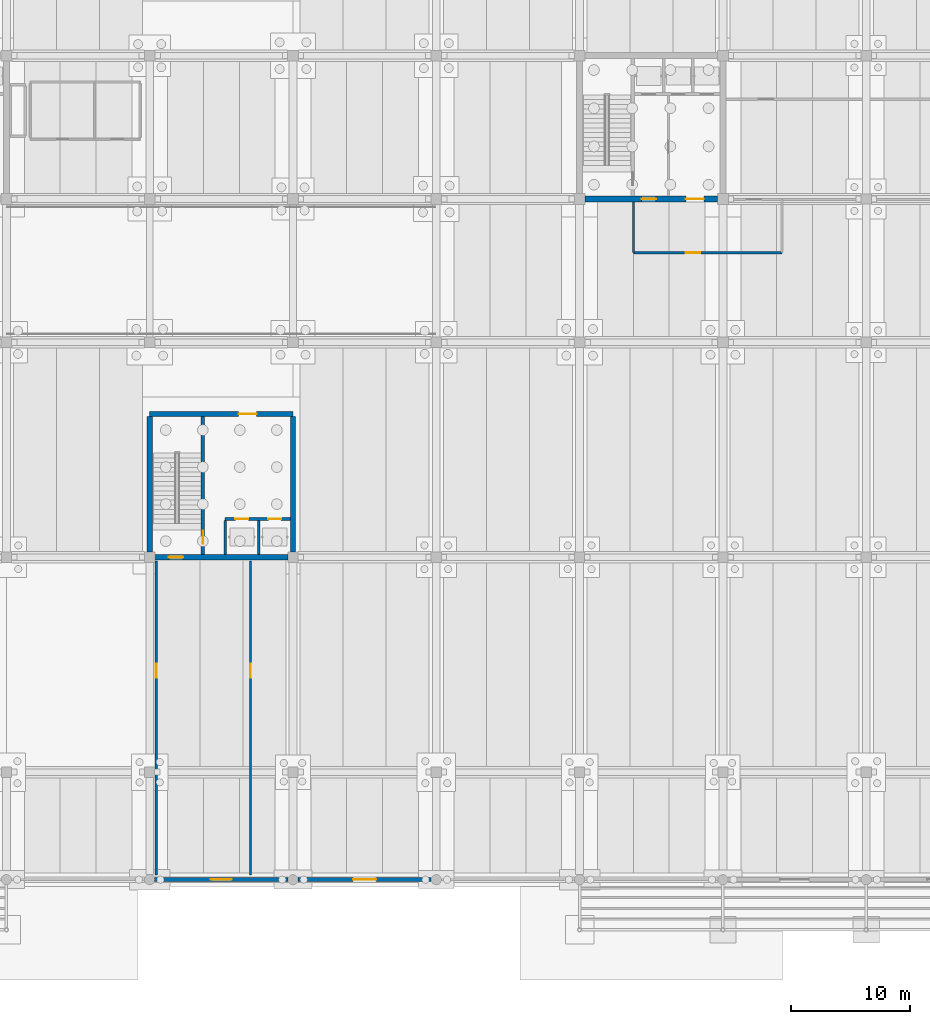
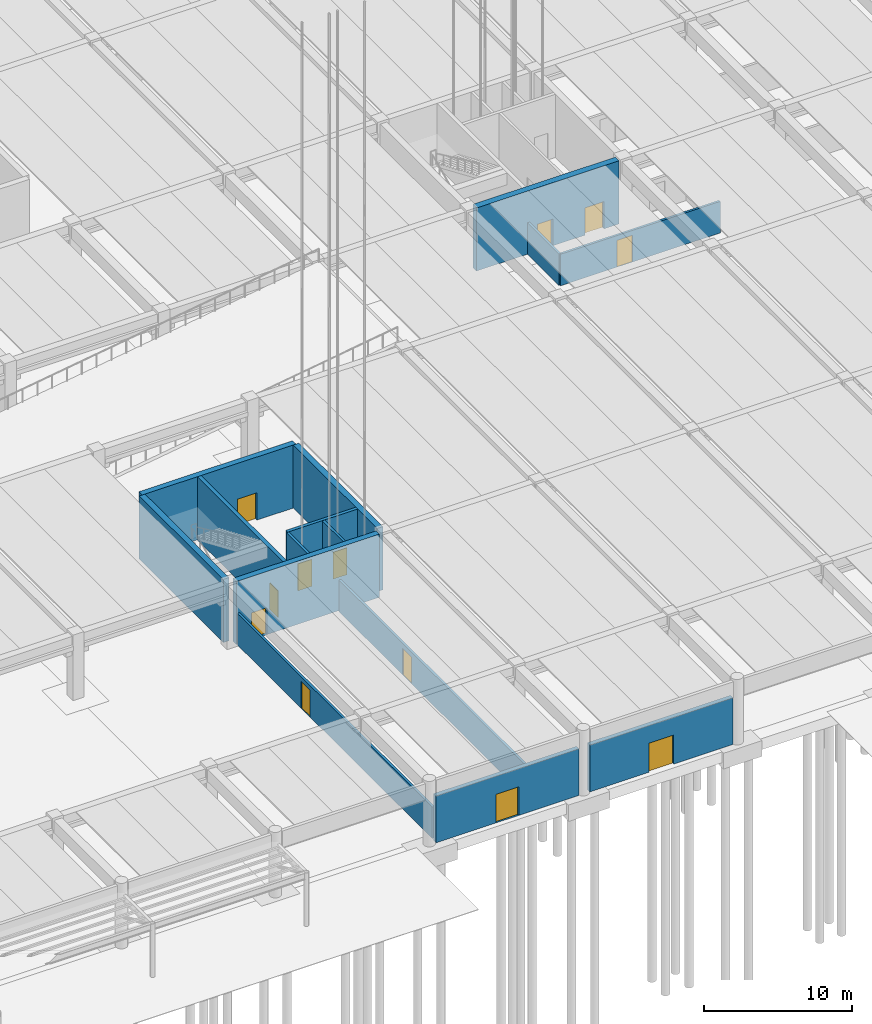
# One storey, part 26 of 59: 15 walls, 12 doors, 12 openings.
"""IFC4 building model written with IfcOpenShell, lengths in metres."""

from ifc_helpers import new_model, si_unit, direction, frame, frame_2d, origin, place, context, subcontext, project, spatial, rectangle, extrude, material, layer, layer_set, type_object, element, fill, save


model = new_model("IFC4")

# Units and contexts
model_context = context("Model", 3, precision=1e-05, world=origin(), true_north=direction((0.0, 1.0)))
body_context = subcontext(model_context, "Body", "Model", "MODEL_VIEW")
ifc_project = project(units=[si_unit("LENGTHUNIT", "METRE"), si_unit("AREAUNIT", "SQUARE_METRE"), si_unit("VOLUMEUNIT", "CUBIC_METRE"), si_unit("PLANEANGLEUNIT", "RADIAN"), si_unit("MASSUNIT", "GRAM", prefix="KILO")], contexts=[model_context])

# Site, building, storey
site_placement = place(None, origin())
site = spatial("IfcSite", under=ifc_project, at=site_placement, CompositionType="ELEMENT")
building_placement = place(site_placement, origin())
building = spatial("IfcBuilding", under=site, at=building_placement, Name="Girod Span Mobility Hub", CompositionType="ELEMENT")
storey_placement = place(building_placement, origin())
storey = spatial("IfcBuildingStorey", under=building, at=storey_placement, Name="L00", CompositionType="ELEMENT", Elevation=0.0)

# Wall, opening, door
ifc_material_1 = material(Name="Concrete C40/50", Category="concrete")
ifc_layer_1 = layer(ifc_material_1, 0.449951171875)
ifc_layer_set_1 = layer_set([ifc_layer_1], Name="Concrete C40/50")
wall_type_1 = type_object("IfcWallType", Name="W-CW-450", PredefinedType="SHEAR", material=ifc_layer_set_1)
wall_1_placement = place(storey_placement, frame((72.422119140625, 27.0, 0.0), z_axis=(0.0, 0.0, 1.0), x_axis=(1.0, 0.0, 0.0)))
wall_1 = element("IfcWall", 1, at=wall_1_placement, inside=storey, type_object=wall_type_1, Name="Core C3 Shear Wall S L00", PredefinedType="SHEAR", context=body_context, shape_type="SweptSolid", body=[
    extrude(rectangle(XDim=11.15576171875, YDim=0.449951171875, at=frame_2d((5.577880859375, 0.0))), origin(), (0.0, 0.0, 1.0), 5.202880859375),
])
opening_1_placement = place(wall_1_placement, frame((1.177978515625, 0.0, 0.0)))
opening_1 = element("IfcOpeningElement", 2, at=opening_1_placement, cuts=wall_1, Name="Opening D-ST3-DIS", PredefinedType="OPENING", context=body_context, shape_type="SweptSolid", body=[
    extrude(rectangle(XDim=1.199951171875, YDim=2.199951171875, at=frame_2d((0.60009765625, 1.10009765625))), frame((0.0, 0.239990234375, 0.0), z_axis=(0.0, -1.0, 0.0), x_axis=(1.0, 0.0, 0.0)), (0.0, 0.0, 1.0), 0.47998046875),
])
ifc_material_2 = material(Name="Fire-Rated Insulated Hollow Metal Steel", Category="steel")
door_type_1 = type_object("IfcDoorType", Name="DT-FD-05", OperationType="NOTDEFINED", PredefinedType="DOOR", material=ifc_material_2)
door_1_placement = place(opening_1_placement, frame((1.199951171875, 0.0, 0.0), z_axis=(0.0, 0.0, 1.0), x_axis=(-1.0, 0.0, 0.0)))
door_1 = element("IfcDoor", 3, at=door_1_placement, inside=storey, type_object=door_type_1, Name="Stair ST-3 Ground Concourse Discharge Door", OperationType="SINGLE_SWING_RIGHT", OverallHeight=2.199951171875, OverallWidth=1.199951171875, PredefinedType="DOOR", context=body_context, shape_type="SweptSolid", body=[
    extrude(rectangle(XDim=1.199951171875, YDim=2.199951171875, at=frame_2d((0.60009765625, 1.10009765625))), frame((0.0, 0.02490234375, 0.0), z_axis=(0.0, -1.0, 0.0), x_axis=(1.0, 0.0, 0.0)), (0.0, 0.0, 1.0), 0.050048828125),
])
fill(opening_1, door_1)

wall_2_placement = place(storey_placement, frame((72.0, 39.0, 0.0), z_axis=(0.0, 0.0, 1.0), x_axis=(1.0, 0.0, 0.0)))
wall_2 = element("IfcWall", 4, at=wall_2_placement, inside=storey, type_object=wall_type_1, Name="Core C3 Shear Wall N L00", PredefinedType="SHEAR", context=body_context, shape_type="SweptSolid", body=[
    extrude(rectangle(XDim=12.0, YDim=0.449951171875, at=frame_2d((6.0, 0.0))), origin(), (0.0, 0.0, 1.0), 5.202880859375),
])
opening_2_placement = place(wall_2_placement, frame((7.449951171875, 0.0, 0.0)))
opening_2 = element("IfcOpeningElement", 5, at=opening_2_placement, cuts=wall_2, Name="Opening D-LB-C3-L00", PredefinedType="OPENING", context=body_context, shape_type="SweptSolid", body=[
    extrude(rectangle(XDim=1.5, YDim=2.25, at=frame_2d((0.75, 1.125))), frame((0.0, 0.239990234375, 0.0), z_axis=(0.0, -1.0, 0.0), x_axis=(1.0, 0.0, 0.0)), (0.0, 0.0, 1.0), 0.47998046875),
])
ifc_material_3 = material(Name="Fire-Rated Insulated Hollow Metal Steel", Category="steel")
door_type_2 = type_object("IfcDoorType", Name="DT-FD-03", OperationType="DOUBLE_DOOR_SINGLE_SWING", PredefinedType="DOOR", material=ifc_material_3)
door_2_placement = place(opening_2_placement, origin())
door_2 = element("IfcDoor", 6, at=door_2_placement, inside=storey, type_object=door_type_2, Name="Core C3 Lobby Door L00", OperationType="DOUBLE_DOOR_SINGLE_SWING", OverallHeight=2.25, OverallWidth=1.5, PredefinedType="DOOR", context=body_context, shape_type="SweptSolid", body=[
    extrude(rectangle(XDim=1.5, YDim=2.25, at=frame_2d((0.75, 1.125))), frame((0.0, 0.02490234375, 0.0), z_axis=(0.0, -1.0, 0.0), x_axis=(1.0, 0.0, 0.0)), (0.0, 0.0, 1.0), 0.050048828125),
])
fill(opening_2, door_2)

# Walls
for number, where, z_axis, x_axis, name in (
    (7, (72.0, 27.422119140625, 0.0), (0.0, 0.0, 1.0), (0.0, 1.0, 0.0), "Core C3 Shear Wall W L00"),
    (8, (84.0, 27.422119140625, 0.0), (0.0, 0.0, 1.0), (0.0, 1.0, 0.0), "Core C3 Shear Wall E L00"),
):
    element("IfcWall", number, at=place(storey_placement, frame(where, z_axis=z_axis, x_axis=x_axis)), inside=storey, type_object=wall_type_1, Name=name, PredefinedType="SHEAR", context=body_context, shape_type="SweptSolid", body=[
        extrude(rectangle(XDim=11.35595703125, YDim=0.449951171875, at=frame_2d((5.677978515625, 0.0))), origin(), (0.0, 0.0, 1.0), 5.202880859375),
    ])

# Wall, openings, doors
ifc_material_4 = material(Name="Concrete C40/50", Category="concrete")
ifc_layer_2 = layer(ifc_material_4, 0.5)
ifc_layer_set_2 = layer_set([ifc_layer_2], Name="Concrete C40/50")
wall_type_2 = type_object("IfcWallType", Name="W-CW-500", PredefinedType="SHEAR", material=ifc_layer_set_2)
wall_3_placement = place(storey_placement, frame((108.447021484375, 57.0, 0.0), z_axis=(0.0, 0.0, 1.0), x_axis=(1.0, 0.0, 0.0)))
wall_3 = element("IfcWall", 9, at=wall_3_placement, inside=storey, type_object=wall_type_2, Name="Core C2 Shear Wall S L00", PredefinedType="SHEAR", context=body_context, shape_type="SweptSolid", body=[
    extrude(rectangle(XDim=11.10595703125, YDim=0.5, at=frame_2d((5.552978515625, 0.0))), origin(), (0.0, 0.0, 1.0), 5.202880859375),
])
opening_3_placement = place(wall_3_placement, frame((4.7529296875, 0.0, 0.0)))
opening_3 = element("IfcOpeningElement", 10, at=opening_3_placement, cuts=wall_3, Name="Opening D-FL-C2-L00", PredefinedType="OPENING", context=body_context, shape_type="SweptSolid", body=[
    extrude(rectangle(XDim=1.199951171875, YDim=2.199951171875, at=frame_2d((0.60009765625, 1.10009765625))), frame((0.0, 0.264892578125, 0.0), z_axis=(0.0, -1.0, 0.0), x_axis=(1.0, 0.0, 0.0)), (0.0, 0.0, 1.0), 0.530029296875),
])
opening_4_placement = place(wall_3_placement, frame((8.452880859375, 0.0, 0.0)))
opening_4 = element("IfcOpeningElement", 11, at=opening_4_placement, cuts=wall_3, Name="Opening D-LB-C2-L00", PredefinedType="OPENING", context=body_context, shape_type="SweptSolid", body=[
    extrude(rectangle(XDim=1.5, YDim=2.25, at=frame_2d((0.75, 1.125))), frame((0.0, 0.264892578125, 0.0), z_axis=(0.0, -1.0, 0.0), x_axis=(1.0, 0.0, 0.0)), (0.0, 0.0, 1.0), 0.530029296875),
])
door_3_placement = place(opening_4_placement, origin())
door_3 = element("IfcDoor", 12, at=door_3_placement, inside=storey, type_object=door_type_2, Name="Lift Lobby Entry Door C2 L00", OperationType="DOUBLE_DOOR_SINGLE_SWING", OverallHeight=2.25, OverallWidth=1.5, PredefinedType="DOOR", context=body_context, shape_type="SweptSolid", body=[
    extrude(rectangle(XDim=1.5, YDim=2.25, at=frame_2d((0.75, 1.125))), frame((0.0, 0.02490234375, 0.0), z_axis=(0.0, -1.0, 0.0), x_axis=(1.0, 0.0, 0.0)), (0.0, 0.0, 1.0), 0.050048828125),
])
fill(opening_4, door_3)
door_4_placement = place(opening_3_placement, frame((1.199951171875, 0.0, 0.0), z_axis=(0.0, 0.0, 1.0), x_axis=(-1.0, 0.0, 0.0)))
door_4 = element("IfcDoor", 13, at=door_4_placement, inside=storey, type_object=door_type_1, Name="Firefighting Lobby Entry Door C2 L00", OperationType="SINGLE_SWING_RIGHT", OverallHeight=2.199951171875, OverallWidth=1.199951171875, PredefinedType="DOOR", context=body_context, shape_type="SweptSolid", body=[
    extrude(rectangle(XDim=1.199951171875, YDim=2.199951171875, at=frame_2d((0.60009765625, 1.10009765625))), frame((0.0, 0.02490234375, 0.0), z_axis=(0.0, -1.0, 0.0), x_axis=(1.0, 0.0, 0.0)), (0.0, 0.0, 1.0), 0.050048828125),
])
fill(opening_3, door_4)

# Wall, opening, door
ifc_material_5 = material(Name="Precast Architectural Concrete C40/50", Category="concrete")
ifc_layer_3 = layer(ifc_material_5, 0.340087890625)
ifc_layer_set_3 = layer_set([ifc_layer_3], Name="Precast Architectural Concrete C40/50")
wall_type_3 = type_object("IfcWallType", Name="W-EXT-340", PredefinedType="SOLIDWALL", material=ifc_layer_set_3)
wall_4_placement = place(storey_placement, frame((72.423095703125, 0.0, 0.0), z_axis=(0.0, 0.0, 1.0), x_axis=(1.0, 0.0, 0.0)))
wall_4 = element("IfcWall", 14, at=wall_4_placement, inside=storey, type_object=wall_type_3, Name="Exterior Insulated Precast Wall S-7 L00", PredefinedType="SOLIDWALL", context=body_context, shape_type="SweptSolid", body=[
    extrude(rectangle(XDim=11.15380859375, YDim=0.340087890625, at=frame_2d((5.576904296875, 0.0))), origin(), (0.0, 0.0, 1.0), 3.85009765625),
])
opening_5_placement = place(wall_4_placement, frame((4.697021484375, 0.0, 0.0)))
opening_5 = element("IfcOpeningElement", 15, at=opening_5_placement, cuts=wall_4, Name="Opening D-L00-S06", PredefinedType="OPENING", context=body_context, shape_type="SweptSolid", body=[
    extrude(rectangle(XDim=1.760009765625, YDim=2.360107421875, at=frame_2d((0.8798828125, 1.18017578125))), frame((0.0, 0.18505859375, 0.0), z_axis=(0.0, -1.0, 0.0), x_axis=(1.0, 0.0, 0.0)), (0.0, 0.0, 1.0), 0.3701171875),
])
ifc_material_6 = material(Name="Thermally Broken Anodised Aluminium", Category="aluminium")
door_type_3 = type_object("IfcDoorType", Name="DR-EXT-01", OperationType="DOUBLE_DOOR_SINGLE_SWING", PredefinedType="DOOR", material=ifc_material_6)
door_5_placement = place(opening_5_placement, frame((1.760009765625, 0.0, 0.0), z_axis=(0.0, 0.0, 1.0), x_axis=(-1.0, 0.0, 0.0)))
door_5 = element("IfcDoor", 16, at=door_5_placement, inside=storey, type_object=door_type_3, Name="South Boulevard Concourse Entrance 6", OperationType="DOUBLE_DOOR_SINGLE_SWING", OverallHeight=2.360107421875, OverallWidth=1.760009765625, PredefinedType="DOOR", context=body_context, shape_type="SweptSolid", body=[
    extrude(rectangle(XDim=1.760009765625, YDim=2.360107421875, at=frame_2d((0.8798828125, 1.18017578125))), frame((0.0, 0.02490234375, 0.0), z_axis=(0.0, -1.0, 0.0), x_axis=(1.0, 0.0, 0.0)), (0.0, 0.0, 1.0), 0.050048828125),
])
fill(opening_5, door_5)

wall_5_placement = place(storey_placement, frame((84.423095703125, 0.0, 0.0), z_axis=(0.0, 0.0, 1.0), x_axis=(1.0, 0.0, 0.0)))
wall_5 = element("IfcWall", 17, at=wall_5_placement, inside=storey, type_object=wall_type_3, Name="Exterior Insulated Precast Wall S-8 L00", PredefinedType="SOLIDWALL", context=body_context, shape_type="SweptSolid", body=[
    extrude(rectangle(XDim=11.15380859375, YDim=0.340087890625, at=frame_2d((5.576904296875, 0.0))), origin(), (0.0, 0.0, 1.0), 3.85009765625),
])
opening_6_placement = place(wall_5_placement, frame((4.616943359375, 0.0, 0.0)))
opening_6 = element("IfcOpeningElement", 18, at=opening_6_placement, cuts=wall_5, Name="Opening D-L00-S07", PredefinedType="OPENING", context=body_context, shape_type="SweptSolid", body=[
    extrude(rectangle(XDim=1.919921875, YDim=2.39990234375, at=frame_2d((0.9599609375, 1.199951171875))), frame((0.0, 0.18505859375, 0.0), z_axis=(0.0, -1.0, 0.0), x_axis=(1.0, 0.0, 0.0)), (0.0, 0.0, 1.0), 0.3701171875),
])
ifc_material_7 = material(Name="Thermally Broken Anodised Aluminium", Category="aluminium")
door_type_4 = type_object("IfcDoorType", Name="DR-EXT-02", OperationType="DOUBLE_DOOR_SINGLE_SWING", PredefinedType="DOOR", material=ifc_material_7)
door_6_placement = place(opening_6_placement, frame((1.919921875, 0.0, 0.0), z_axis=(0.0, 0.0, 1.0), x_axis=(-1.0, 0.0, 0.0)))
door_6 = element("IfcDoor", 19, at=door_6_placement, inside=storey, type_object=door_type_4, Name="South Boulevard Concourse Entrance 7", OperationType="DOUBLE_DOOR_SINGLE_SWING", OverallHeight=2.39990234375, OverallWidth=1.919921875, PredefinedType="DOOR", context=body_context, shape_type="SweptSolid", body=[
    extrude(rectangle(XDim=1.919921875, YDim=2.39990234375, at=frame_2d((0.9599609375, 1.199951171875))), frame((0.0, 0.02490234375, 0.0), z_axis=(0.0, -1.0, 0.0), x_axis=(1.0, 0.0, 0.0)), (0.0, 0.0, 1.0), 0.050048828125),
])
fill(opening_6, door_6)

# Wall
ifc_material_8 = material(Name="Reinforced Concrete Masonry Block", Category="masonry")
ifc_layer_4 = layer(ifc_material_8, 0.179931640625)
ifc_layer_set_4 = layer_set([ifc_layer_4], Name="Reinforced Concrete Masonry Block")
wall_type_4 = type_object("IfcWallType", Name="W-FP-180", PredefinedType="SOLIDWALL", material=ifc_layer_set_4)
wall_6_placement = place(storey_placement, frame((112.5, 52.5, 0.0), z_axis=(0.0, 0.0, 1.0), x_axis=(0.0, 1.0, 0.0)))
element("IfcWall", 20, at=wall_6_placement, inside=storey, type_object=wall_type_4, Name="Exit Vestibule ST-2 West Wall", PredefinedType="SOLIDWALL", context=body_context, shape_type="SweptSolid", body=[
    extrude(rectangle(XDim=4.25, YDim=0.179931640625, at=frame_2d((2.125, 0.0))), origin(), (0.0, 0.0, 1.0), 2.60009765625),
])

# Wall, opening, door
wall_7_placement = place(storey_placement, frame((112.5, 52.5, 0.0), z_axis=(0.0, 0.0, 1.0), x_axis=(1.0, 0.0, 0.0)))
wall_7 = element("IfcWall", 21, at=wall_7_placement, inside=storey, type_object=wall_type_4, Name="Exit Vestibule ST-2 South Wall", PredefinedType="SOLIDWALL", context=body_context, shape_type="SweptSolid", body=[
    extrude(rectangle(XDim=12.449951171875, YDim=0.179931640625, at=frame_2d((6.22509765625, 0.0))), origin(), (0.0, 0.0, 1.0), 2.60009765625),
])
opening_7_placement = place(wall_7_placement, frame((4.39990234375, 0.0, 0.0)))
opening_7 = element("IfcOpeningElement", 22, at=opening_7_placement, cuts=wall_7, Name="Opening D-EV2-S", PredefinedType="OPENING", context=body_context, shape_type="SweptSolid", body=[
    extrude(rectangle(XDim=1.199951171875, YDim=2.199951171875, at=frame_2d((0.60009765625, 1.10009765625))), frame((0.0, 0.10498046875, 0.0), z_axis=(0.0, -1.0, 0.0), x_axis=(1.0, 0.0, 0.0)), (0.0, 0.0, 1.0), 0.2099609375),
])
door_7_placement = place(opening_7_placement, origin())
door_7 = element("IfcDoor", 23, at=door_7_placement, inside=storey, type_object=door_type_1, Name="Exit Vestibule ST-2 Concourse Access Door", OperationType="SINGLE_SWING_LEFT", OverallHeight=2.199951171875, OverallWidth=1.199951171875, PredefinedType="DOOR", context=body_context, shape_type="SweptSolid", body=[
    extrude(rectangle(XDim=1.199951171875, YDim=2.199951171875, at=frame_2d((0.60009765625, 1.10009765625))), frame((0.0, 0.02490234375, 0.0), z_axis=(0.0, -1.0, 0.0), x_axis=(1.0, 0.0, 0.0)), (0.0, 0.0, 1.0), 0.050048828125),
])
fill(opening_7, door_7)

wall_8_placement = place(storey_placement, frame((72.550048828125, 0.39990234375, 0.0), z_axis=(0.0, 0.0, 1.0), x_axis=(0.0, 1.0, 0.0)))
wall_8 = element("IfcWall", 24, at=wall_8_placement, inside=storey, type_object=wall_type_4, Name="Exit Passage ST-3 West Wall", PredefinedType="SOLIDWALL", context=body_context, shape_type="SweptSolid", body=[
    extrude(rectangle(XDim=26.300048828125, YDim=0.179931640625, at=frame_2d((13.14990234375, 0.0))), origin(), (0.0, 0.0, 1.0), 2.60009765625),
])
opening_8_placement = place(wall_8_placement, frame((16.5, 0.0, 0.0)))
opening_8 = element("IfcOpeningElement", 25, at=opening_8_placement, cuts=wall_8, Name="Opening D-EP3-W", PredefinedType="OPENING", context=body_context, shape_type="SweptSolid", body=[
    extrude(rectangle(XDim=1.199951171875, YDim=2.199951171875, at=frame_2d((0.60009765625, 1.10009765625))), frame((0.0, 0.10498046875, 0.0), z_axis=(0.0, -1.0, 0.0), x_axis=(1.0, 0.0, 0.0)), (0.0, 0.0, 1.0), 0.2099609375),
])
door_8_placement = place(opening_8_placement, frame((1.199951171875, 0.0, 0.0), z_axis=(0.0, 0.0, 1.0), x_axis=(-1.0, 0.0, 0.0)))
door_8 = element("IfcDoor", 26, at=door_8_placement, inside=storey, type_object=door_type_1, Name="Exit Passage ST-3 West Access Door", OperationType="SINGLE_SWING_RIGHT", OverallHeight=2.199951171875, OverallWidth=1.199951171875, PredefinedType="DOOR", context=body_context, shape_type="SweptSolid", body=[
    extrude(rectangle(XDim=1.199951171875, YDim=2.199951171875, at=frame_2d((0.60009765625, 1.10009765625))), frame((0.0, 0.02490234375, 0.0), z_axis=(0.0, -1.0, 0.0), x_axis=(1.0, 0.0, 0.0)), (0.0, 0.0, 1.0), 0.050048828125),
])
fill(opening_8, door_8)

wall_9_placement = place(storey_placement, frame((80.449951171875, 0.39990234375, 0.0), z_axis=(0.0, 0.0, 1.0), x_axis=(0.0, 1.0, 0.0)))
wall_9 = element("IfcWall", 27, at=wall_9_placement, inside=storey, type_object=wall_type_4, Name="Exit Passage ST-3 East Wall", PredefinedType="SOLIDWALL", context=body_context, shape_type="SweptSolid", body=[
    extrude(rectangle(XDim=26.300048828125, YDim=0.179931640625, at=frame_2d((13.14990234375, 0.0))), origin(), (0.0, 0.0, 1.0), 2.60009765625),
])
opening_9_placement = place(wall_9_placement, frame((16.5, 0.0, 0.0)))
opening_9 = element("IfcOpeningElement", 28, at=opening_9_placement, cuts=wall_9, Name="Opening D-EP3-E", PredefinedType="OPENING", context=body_context, shape_type="SweptSolid", body=[
    extrude(rectangle(XDim=1.199951171875, YDim=2.199951171875, at=frame_2d((0.60009765625, 1.10009765625))), frame((0.0, 0.10498046875, 0.0), z_axis=(0.0, -1.0, 0.0), x_axis=(1.0, 0.0, 0.0)), (0.0, 0.0, 1.0), 0.2099609375),
])
door_9_placement = place(opening_9_placement, frame((1.199951171875, 0.0, 0.0), z_axis=(0.0, 0.0, 1.0), x_axis=(-1.0, 0.0, 0.0)))
door_9 = element("IfcDoor", 29, at=door_9_placement, inside=storey, type_object=door_type_1, Name="Exit Passage ST-3 East Access Door", OperationType="SINGLE_SWING_LEFT", OverallHeight=2.199951171875, OverallWidth=1.199951171875, PredefinedType="DOOR", context=body_context, shape_type="SweptSolid", body=[
    extrude(rectangle(XDim=1.199951171875, YDim=2.199951171875, at=frame_2d((0.60009765625, 1.10009765625))), frame((0.0, 0.02490234375, 0.0), z_axis=(0.0, -1.0, 0.0), x_axis=(1.0, 0.0, 0.0)), (0.0, 0.0, 1.0), 0.050048828125),
])
fill(opening_9, door_9)

# Walls
ifc_material_9 = material(Name="Concrete C40/50", Category="concrete")
ifc_layer_5 = layer(ifc_material_9, 0.199951171875)
ifc_layer_set_5 = layer_set([ifc_layer_5], Name="Concrete C40/50")
wall_type_5 = type_object("IfcWallType", Name="W-SH-200", PredefinedType="SOLIDWALL", material=ifc_layer_set_5)
for number, where, z_axis, x_axis, name in (
    (30, (78.320068359375, 27.22509765625, 0.0), (0.0, 0.0, 1.0), (0.0, 1.0, 0.0), "Core C3 Shaft Divider 1 L00"),
    (31, (81.1201171875, 27.22509765625, 0.0), (0.0, 0.0, 1.0), (0.0, 1.0, 0.0), "Core C3 Shaft Divider 2 L00"),
):
    element("IfcWall", number, at=place(storey_placement, frame(where, z_axis=z_axis, x_axis=x_axis)), inside=storey, type_object=wall_type_5, Name=name, PredefinedType="SOLIDWALL", context=body_context, shape_type="SweptSolid", body=[
        extrude(rectangle(XDim=2.85498046875, YDim=0.199951171875, at=frame_2d((1.427490234375, 0.0))), origin(), (0.0, 0.0, 1.0), 5.193115234375),
    ])

# Wall, openings, doors
ifc_material_10 = material(Name="Concrete C40/50", Category="concrete")
ifc_layer_6 = layer(ifc_material_10, 0.25)
ifc_layer_set_6 = layer_set([ifc_layer_6], Name="Concrete C40/50")
wall_type_6 = type_object("IfcWallType", Name="W-SH-250", PredefinedType="SOLIDWALL", material=ifc_layer_set_6)
wall_10_placement = place(storey_placement, frame((78.320068359375, 30.199951171875, 0.0), z_axis=(0.0, 0.0, 1.0), x_axis=(1.0, 0.0, 0.0)))
wall_10 = element("IfcWall", 32, at=wall_10_placement, inside=storey, type_object=wall_type_6, Name="Core C3 Hoistway Front Wall L00", PredefinedType="SOLIDWALL", context=body_context, shape_type="SweptSolid", body=[
    extrude(rectangle(XDim=5.4580078125, YDim=0.25, at=frame_2d((2.72900390625, 0.0))), origin(), (0.0, 0.0, 1.0), 5.202880859375),
])
opening_10_placement = place(wall_10_placement, frame((0.860107421875, 0.0, 0.0)))
opening_10 = element("IfcOpeningElement", 33, at=opening_10_placement, cuts=wall_10, Name="Opening LD-LP-5-L00", PredefinedType="OPENING", context=body_context, shape_type="SweptSolid", body=[
    extrude(rectangle(XDim=1.080078125, YDim=2.219970703125, at=frame_2d((0.5400390625, 1.10986328125))), frame((0.0, 0.139892578125, 0.0), z_axis=(0.0, -1.0, 0.0), x_axis=(1.0, 0.0, 0.0)), (0.0, 0.0, 1.0), 0.280029296875),
])
opening_11_placement = place(wall_10_placement, frame((3.610107421875, 0.0, 0.0)))
opening_11 = element("IfcOpeningElement", 34, at=opening_11_placement, cuts=wall_10, Name="Opening LD-LP-6-L00", PredefinedType="OPENING", context=body_context, shape_type="SweptSolid", body=[
    extrude(rectangle(XDim=1.080078125, YDim=2.219970703125, at=frame_2d((0.5400390625, 1.10986328125))), frame((0.0, 0.139892578125, 0.0), z_axis=(0.0, -1.0, 0.0), x_axis=(1.0, 0.0, 0.0)), (0.0, 0.0, 1.0), 0.280029296875),
])
ifc_material_11 = material(Name="Brushed Stainless Steel Grade 304", Category="steel")
door_type_5 = type_object("IfcDoorType", Name="LD-LP-108", OperationType="SLIDING_TO_LEFT", PredefinedType="USERDEFINED", material=ifc_material_11)
door_10_placement = place(opening_10_placement, origin())
door_10 = element("IfcDoor", 35, at=door_10_placement, inside=storey, type_object=door_type_5, Name="Lift LP-5 Sliding Landing Door L00", ObjectType="LANDING DOOR", OperationType="SLIDING_TO_LEFT", OverallHeight=2.219970703125, OverallWidth=1.080078125, PredefinedType="USERDEFINED", context=body_context, shape_type="SweptSolid", body=[
    extrude(rectangle(XDim=1.080078125, YDim=2.219970703125, at=frame_2d((0.5400390625, 1.10986328125))), frame((0.0, 0.02490234375, 0.0), z_axis=(0.0, -1.0, 0.0), x_axis=(1.0, 0.0, 0.0)), (0.0, 0.0, 1.0), 0.050048828125),
])
fill(opening_10, door_10)
door_11_placement = place(opening_11_placement, origin())
door_11 = element("IfcDoor", 36, at=door_11_placement, inside=storey, type_object=door_type_5, Name="Lift LP-6 Sliding Landing Door L00", ObjectType="LANDING DOOR", OperationType="SLIDING_TO_LEFT", OverallHeight=2.219970703125, OverallWidth=1.080078125, PredefinedType="USERDEFINED", context=body_context, shape_type="SweptSolid", body=[
    extrude(rectangle(XDim=1.080078125, YDim=2.219970703125, at=frame_2d((0.5400390625, 1.10986328125))), frame((0.0, 0.02490234375, 0.0), z_axis=(0.0, -1.0, 0.0), x_axis=(1.0, 0.0, 0.0)), (0.0, 0.0, 1.0), 0.050048828125),
])
fill(opening_11, door_11)

# Wall, opening, door
ifc_material_12 = material(Name="Concrete C40/50", Category="concrete")
ifc_layer_7 = layer(ifc_material_12, 0.300048828125)
ifc_layer_set_7 = layer_set([ifc_layer_7], Name="Concrete C40/50")
wall_type_7 = type_object("IfcWallType", Name="W-SH-300", PredefinedType="SHEAR", material=ifc_layer_set_7)
wall_11_placement = place(storey_placement, frame((76.449951171875, 27.221923828125, 0.0), z_axis=(0.0, 0.0, 1.0), x_axis=(0.0, 1.0, 0.0)))
wall_11 = element("IfcWall", 37, at=wall_11_placement, inside=storey, type_object=wall_type_7, Name="Core C3 Stairwell Spine Wall L00", PredefinedType="SHEAR", context=body_context, shape_type="SweptSolid", body=[
    extrude(rectangle(XDim=11.55615234375, YDim=0.300048828125, at=frame_2d((5.778076171875, 0.0))), origin(), (0.0, 0.0, 1.0), 5.202880859375),
])
opening_12_placement = place(wall_11_placement, frame((0.89990234375, 0.0, 0.0)))
opening_12 = element("IfcOpeningElement", 38, at=opening_12_placement, cuts=wall_11, Name="Opening D-ST-3-L00", PredefinedType="OPENING", context=body_context, shape_type="SweptSolid", body=[
    extrude(rectangle(XDim=1.10009765625, YDim=2.199951171875, at=frame_2d((0.550048828125, 1.10009765625))), frame((0.0, 0.1650390625, 0.0), z_axis=(0.0, -1.0, 0.0), x_axis=(1.0, 0.0, 0.0)), (0.0, 0.0, 1.0), 0.330078125),
])
ifc_material_13 = material(Name="Fire-Rated Insulated Hollow Metal Steel", Category="steel")
door_type_6 = type_object("IfcDoorType", Name="DT-FD-01", OperationType="NOTDEFINED", PredefinedType="DOOR", material=ifc_material_13)
door_12_placement = place(opening_12_placement, origin())
door_12 = element("IfcDoor", 39, at=door_12_placement, inside=storey, type_object=door_type_6, Name="Stair ST-3 Fire Door L00", OperationType="SINGLE_SWING_LEFT", OverallHeight=2.199951171875, OverallWidth=1.10009765625, PredefinedType="DOOR", context=body_context, shape_type="SweptSolid", body=[
    extrude(rectangle(XDim=1.10009765625, YDim=2.199951171875, at=frame_2d((0.550048828125, 1.10009765625))), frame((0.0, 0.02490234375, 0.0), z_axis=(0.0, -1.0, 0.0), x_axis=(1.0, 0.0, 0.0)), (0.0, 0.0, 1.0), 0.050048828125),
])
fill(opening_12, door_12)

save(model, "model.ifc")
